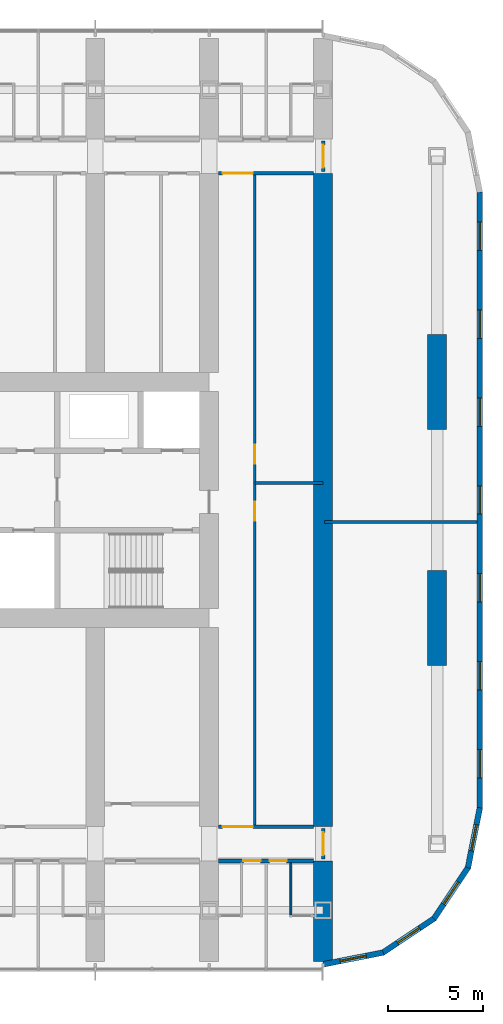
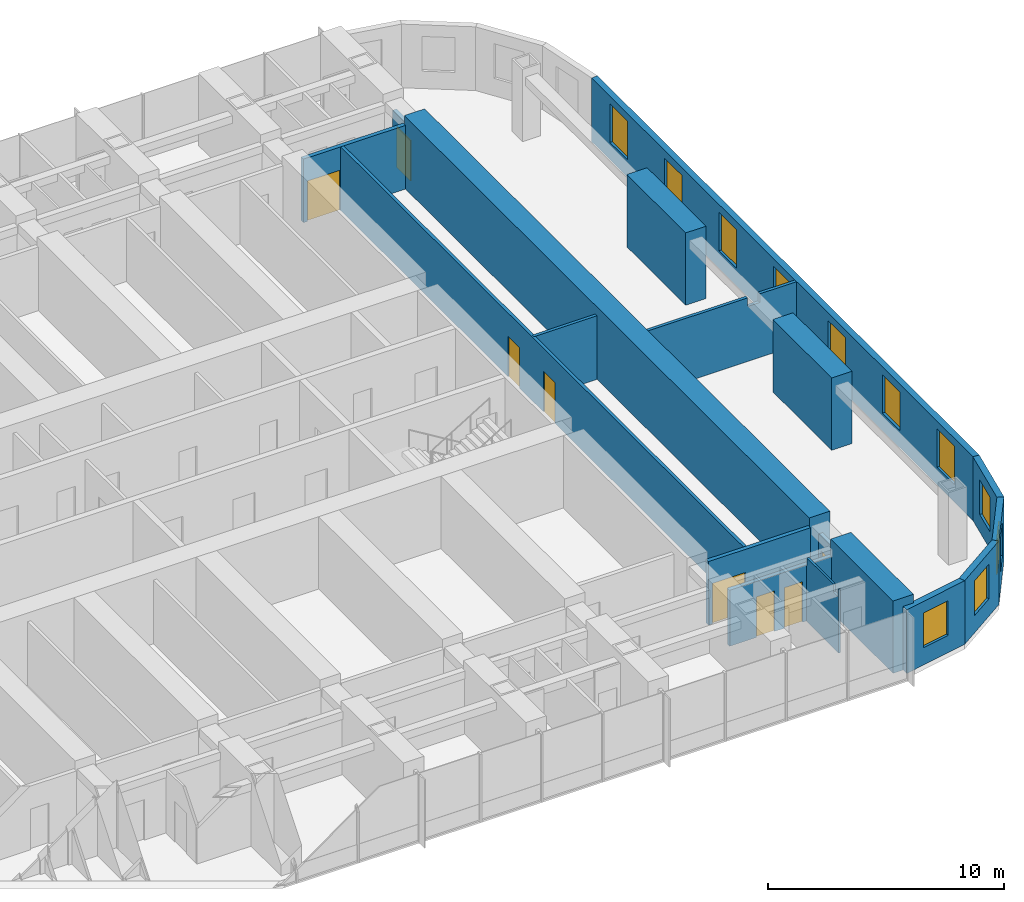
# One storey, part 17 of 23: 18 walls, 11 windows, 8 doors, 19 openings.
"""IFC4 building model written with IfcOpenShell, lengths in metres."""

from ifc_helpers import new_model, si_unit, direction, frame, frame_2d, origin, place, context, subcontext, project, spatial, polyline, rectangle, outline, extrude, material, layer, layer_set, type_object, element, fill, save


model = new_model("IFC4")

# Units and contexts
model_context = context("Model", 3, precision=1e-05, world=origin(), true_north=direction((0.0, 1.0)))
body_context = subcontext(model_context, "Body", "Model", "MODEL_VIEW")
ifc_project = project(units=[si_unit("LENGTHUNIT", "METRE"), si_unit("AREAUNIT", "SQUARE_METRE"), si_unit("VOLUMEUNIT", "CUBIC_METRE"), si_unit("PLANEANGLEUNIT", "RADIAN"), si_unit("MASSUNIT", "GRAM", prefix="KILO")], contexts=[model_context])

# Site, building, storey
site_placement = place(None, origin())
site = spatial("IfcSite", under=ifc_project, at=site_placement, CompositionType="ELEMENT")
building_placement = place(site_placement, origin())
building = spatial("IfcBuilding", under=site, at=building_placement, Name="Orbita Commons", CompositionType="ELEMENT")
storey_placement = place(building_placement, frame((0.0, 0.0, 50.199951171875)))
storey = spatial("IfcBuildingStorey", under=building, at=storey_placement, Name="L12", CompositionType="ELEMENT", Elevation=50.199951171875)

# Wall, openings, doors
ifc_material_1 = material(Name="Concrete blockwork", Category="masonry")
ifc_layer_1 = layer(ifc_material_1, 0.199951171875)
ifc_layer_set_1 = layer_set([ifc_layer_1], Name="Concrete blockwork")
wall_type_1 = type_object("IfcWallType", Name="Corridor wall 200 blockwork", PredefinedType="SOLIDWALL", material=ifc_layer_set_1)
wall_1_placement = place(storey_placement, frame((66.5, 13.0, 0.0), z_axis=(0.0, 0.0, 1.0), x_axis=(1.0, 0.0, 0.0)))
wall_1 = element("IfcWall", 1, at=wall_1_placement, inside=storey, type_object=wall_type_1, Name="Corridor wall 200 blockwork L12", PredefinedType="SOLIDWALL", context=body_context, shape_type="SweptSolid", body=[
    extrude(outline(polyline([(0.0, 0.0), (5.0, 0.0), (5.0, 2.900146484375), (0.0, 2.900146484375), (0.0, 0.0)])), frame((0.0, 0.10009765625, 0.0), z_axis=(0.0, -1.0, 0.0), x_axis=(1.0, 0.0, 0.0)), (0.0, 0.0, 1.0), 0.199951171875),
])
opening_1_placement = place(wall_1_placement, frame((1.300048828125, 0.0, 0.0)))
opening_1 = element("IfcOpeningElement", 2, at=opening_1_placement, cuts=wall_1, Name="Opening D11", PredefinedType="OPENING", context=body_context, shape_type="SweptSolid", body=[
    extrude(rectangle(XDim=0.89990234375, YDim=2.10009765625, at=frame_2d((0.449951171875, 1.050048828125))), frame((0.0, 0.10986328125, 0.0), z_axis=(0.0, -1.0, 0.0), x_axis=(1.0, 0.0, 0.0)), (0.0, 0.0, 1.0), 0.219970703125),
])
opening_2_placement = place(wall_1_placement, frame((2.675048828125, 0.0, 0.0)))
opening_2 = element("IfcOpeningElement", 3, at=opening_2_placement, cuts=wall_1, Name="Opening D11", PredefinedType="OPENING", context=body_context, shape_type="SweptSolid", body=[
    extrude(rectangle(XDim=0.89990234375, YDim=2.10009765625, at=frame_2d((0.449951171875, 1.050048828125))), frame((0.0, 0.10986328125, 0.0), z_axis=(0.0, -1.0, 0.0), x_axis=(1.0, 0.0, 0.0)), (0.0, 0.0, 1.0), 0.219970703125),
])
ifc_material_2 = material(Name="Steel-faced fire door leaf", Category="steel")
door_type_1 = type_object("IfcDoorType", Name="Corridor door 20 min 900x2100", OperationType="SINGLE_SWING_LEFT", PredefinedType="DOOR", material=ifc_material_2)
door_1_placement = place(opening_1_placement, origin())
door_1 = element("IfcDoor", 4, at=door_1_placement, inside=storey, type_object=door_type_1, Name="House bedroom L12-S18 door", OperationType="SINGLE_SWING_LEFT", OverallHeight=2.10009765625, OverallWidth=0.89990234375, PredefinedType="DOOR", context=body_context, shape_type="SweptSolid", body=[
    extrude(rectangle(XDim=0.89990234375, YDim=2.10009765625, at=frame_2d((0.449951171875, 1.050048828125))), frame((0.0, 0.02490234375, 0.0), z_axis=(0.0, -1.0, 0.0), x_axis=(1.0, 0.0, 0.0)), (0.0, 0.0, 1.0), 0.050048828125),
])
fill(opening_1, door_1)
door_2_placement = place(opening_2_placement, origin())
door_2 = element("IfcDoor", 5, at=door_2_placement, inside=storey, type_object=door_type_1, Name="House bedroom L12-S19 door", OperationType="SINGLE_SWING_LEFT", OverallHeight=2.10009765625, OverallWidth=0.89990234375, PredefinedType="DOOR", context=body_context, shape_type="SweptSolid", body=[
    extrude(rectangle(XDim=0.89990234375, YDim=2.10009765625, at=frame_2d((0.449951171875, 1.050048828125))), frame((0.0, 0.02490234375, 0.0), z_axis=(0.0, -1.0, 0.0), x_axis=(1.0, 0.0, 0.0)), (0.0, 0.0, 1.0), 0.050048828125),
])
fill(opening_2, door_2)

# Wall, opening, door
wall_2_placement = place(storey_placement, frame((72.0, 13.10009765625, 0.0), z_axis=(0.0, 0.0, 1.0), x_axis=(0.0, 1.0, 0.0)))
wall_2 = element("IfcWall", 6, at=wall_2_placement, inside=storey, type_object=wall_type_1, Name="Corridor wall 200 blockwork L12", PredefinedType="SOLIDWALL", context=body_context, shape_type="SweptSolid", body=[
    extrude(outline(polyline([(0.0, 0.0), (1.599853515625, 0.0), (1.60009765625, 2.85009765625), (0.0, 2.85009765625), (0.0, 0.0)])), frame((0.0, 0.10009765625, 0.0), z_axis=(0.0, -1.0, 0.0), x_axis=(1.0, 0.0, 0.0)), (0.0, 0.0, 1.0), 0.199951171875),
])
opening_3_placement = place(wall_2_placement, frame((0.199951171875, 0.0, 0.0)))
opening_3 = element("IfcOpeningElement", 7, at=opening_3_placement, cuts=wall_2, Name="Opening D12", PredefinedType="OPENING", context=body_context, shape_type="SweptSolid", body=[
    extrude(rectangle(XDim=1.199951171875, YDim=2.10009765625, at=frame_2d((0.60009765625, 1.050048828125))), frame((0.0, 0.10986328125, 0.0), z_axis=(0.0, -1.0, 0.0), x_axis=(1.0, 0.0, 0.0)), (0.0, 0.0, 1.0), 0.219970703125),
])
ifc_material_3 = material(Name="Steel-faced fire door leaf", Category="steel")
door_type_2 = type_object("IfcDoorType", Name="Double corridor door 20 min 1200x2100", OperationType="DOUBLE_DOOR_SINGLE_SWING", PredefinedType="DOOR", material=ifc_material_3)
door_3_placement = place(opening_3_placement, origin())
door_3 = element("IfcDoor", 8, at=door_3_placement, inside=storey, type_object=door_type_2, Name="Lounge doors", OperationType="DOUBLE_DOOR_SINGLE_SWING", OverallHeight=2.10009765625, OverallWidth=1.199951171875, PredefinedType="DOOR", context=body_context, shape_type="SweptSolid", body=[
    extrude(rectangle(XDim=1.199951171875, YDim=2.10009765625, at=frame_2d((0.60009765625, 1.050048828125))), frame((0.0, 0.02490234375, 0.0), z_axis=(0.0, -1.0, 0.0), x_axis=(1.0, 0.0, 0.0)), (0.0, 0.0, 1.0), 0.050048828125),
])
fill(opening_3, door_3)

wall_3_placement = place(storey_placement, frame((72.0, 49.300048828125, 0.0), z_axis=(0.0, 0.0, 1.0), x_axis=(0.0, 1.0, 0.0)))
wall_3 = element("IfcWall", 9, at=wall_3_placement, inside=storey, type_object=wall_type_1, Name="Corridor wall 200 blockwork L12", PredefinedType="SOLIDWALL", context=body_context, shape_type="SweptSolid", body=[
    extrude(outline(polyline([(0.0, 0.0), (1.599853515625, 0.0), (1.60009765625, 2.85009765625), (0.0, 2.85009765625), (0.0, 0.0)])), frame((0.0, 0.10009765625, 0.0), z_axis=(0.0, -1.0, 0.0), x_axis=(1.0, 0.0, 0.0)), (0.0, 0.0, 1.0), 0.199951171875),
])
opening_4_placement = place(wall_3_placement, frame((0.199951171875, 0.0, 0.0)))
opening_4 = element("IfcOpeningElement", 10, at=opening_4_placement, cuts=wall_3, Name="Opening D12", PredefinedType="OPENING", context=body_context, shape_type="SweptSolid", body=[
    extrude(rectangle(XDim=1.199951171875, YDim=2.10009765625, at=frame_2d((0.60009765625, 1.050048828125))), frame((0.0, 0.10986328125, 0.0), z_axis=(0.0, -1.0, 0.0), x_axis=(1.0, 0.0, 0.0)), (0.0, 0.0, 1.0), 0.219970703125),
])
door_4_placement = place(opening_4_placement, origin())
door_4 = element("IfcDoor", 11, at=door_4_placement, inside=storey, type_object=door_type_2, Name="Lounge doors", OperationType="DOUBLE_DOOR_SINGLE_SWING", OverallHeight=2.10009765625, OverallWidth=1.199951171875, PredefinedType="DOOR", context=body_context, shape_type="SweptSolid", body=[
    extrude(rectangle(XDim=1.199951171875, YDim=2.10009765625, at=frame_2d((0.60009765625, 1.050048828125))), frame((0.0, 0.02490234375, 0.0), z_axis=(0.0, -1.0, 0.0), x_axis=(1.0, 0.0, 0.0)), (0.0, 0.0, 1.0), 0.050048828125),
])
fill(opening_4, door_4)

ifc_material_4 = material(Name="Hollow concrete block 200", Category="concrete")
ifc_layer_2 = layer(ifc_material_4, 0.199951171875)
ifc_layer_set_2 = layer_set([ifc_layer_2], Name="Hollow concrete block 200")
wall_type_2 = type_object("IfcWallType", Name="Corridor wall 200 hollow concrete block", PredefinedType="SOLIDWALL", material=ifc_layer_set_2)
wall_4_placement = place(storey_placement, frame((66.5, 14.800048828125, 0.0), z_axis=(0.0, 0.0, 1.0), x_axis=(1.0, 0.0, 0.0)))
wall_4 = element("IfcWall", 12, at=wall_4_placement, inside=storey, type_object=wall_type_2, Name="Corridor wall 200 hollow concrete block L12", PredefinedType="SOLIDWALL", context=body_context, shape_type="SweptSolid", body=[
    extrude(rectangle(XDim=5.0, YDim=0.199951171875, at=frame_2d((2.5, 0.0))), origin(), (0.0, 0.0, 1.0), 3.300048828125),
])
opening_5_placement = place(wall_4_placement, frame((0.199951171875, 0.0, 0.0)))
opening_5 = element("IfcOpeningElement", 13, at=opening_5_placement, cuts=wall_4, Name="Opening D10", PredefinedType="OPENING", context=body_context, shape_type="SweptSolid", body=[
    extrude(rectangle(XDim=1.60009765625, YDim=2.10009765625, at=frame_2d((0.800048828125, 1.050048828125))), frame((0.0, 0.10986328125, 0.0), z_axis=(0.0, -1.0, 0.0), x_axis=(1.0, 0.0, 0.0)), (0.0, 0.0, 1.0), 0.219970703125),
])
ifc_material_5 = material(Name="Steel-faced fire door leaf", Category="steel")
door_type_3 = type_object("IfcDoorType", Name="Double corridor door 20 min 1600x2100", OperationType="DOUBLE_DOOR_SINGLE_SWING", PredefinedType="DOOR", material=ifc_material_5)
door_5_placement = place(opening_5_placement, origin())
door_5 = element("IfcDoor", 14, at=door_5_placement, inside=storey, type_object=door_type_3, Name="Cross corridor doors", OperationType="DOUBLE_DOOR_SINGLE_SWING", OverallHeight=2.10009765625, OverallWidth=1.60009765625, PredefinedType="DOOR", context=body_context, shape_type="SweptSolid", body=[
    extrude(rectangle(XDim=1.60009765625, YDim=2.10009765625, at=frame_2d((0.800048828125, 1.050048828125))), frame((0.0, 0.02490234375, 0.0), z_axis=(0.0, -1.0, 0.0), x_axis=(1.0, 0.0, 0.0)), (0.0, 0.0, 1.0), 0.050048828125),
])
fill(opening_5, door_5)

wall_5_placement = place(storey_placement, frame((66.5, 49.199951171875, 0.0), z_axis=(0.0, 0.0, 1.0), x_axis=(1.0, 0.0, 0.0)))
wall_5 = element("IfcWall", 15, at=wall_5_placement, inside=storey, type_object=wall_type_2, Name="Corridor wall 200 hollow concrete block L12", PredefinedType="SOLIDWALL", context=body_context, shape_type="SweptSolid", body=[
    extrude(rectangle(XDim=5.0, YDim=0.199951171875, at=frame_2d((2.5, 0.0))), origin(), (0.0, 0.0, 1.0), 3.300048828125),
])
opening_6_placement = place(wall_5_placement, frame((0.199951171875, 0.0, 0.0)))
opening_6 = element("IfcOpeningElement", 16, at=opening_6_placement, cuts=wall_5, Name="Opening D10", PredefinedType="OPENING", context=body_context, shape_type="SweptSolid", body=[
    extrude(rectangle(XDim=1.60009765625, YDim=2.10009765625, at=frame_2d((0.800048828125, 1.050048828125))), frame((0.0, 0.10986328125, 0.0), z_axis=(0.0, -1.0, 0.0), x_axis=(1.0, 0.0, 0.0)), (0.0, 0.0, 1.0), 0.219970703125),
])
door_6_placement = place(opening_6_placement, origin())
door_6 = element("IfcDoor", 17, at=door_6_placement, inside=storey, type_object=door_type_3, Name="Cross corridor doors", OperationType="DOUBLE_DOOR_SINGLE_SWING", OverallHeight=2.10009765625, OverallWidth=1.60009765625, PredefinedType="DOOR", context=body_context, shape_type="SweptSolid", body=[
    extrude(rectangle(XDim=1.60009765625, YDim=2.10009765625, at=frame_2d((0.800048828125, 1.050048828125))), frame((0.0, 0.02490234375, 0.0), z_axis=(0.0, -1.0, 0.0), x_axis=(1.0, 0.0, 0.0)), (0.0, 0.0, 1.0), 0.050048828125),
])
fill(opening_6, door_6)

# Walls
ifc_material_6 = material(Name="Concrete C50/60", Category="concrete")
ifc_layer_3 = layer(ifc_material_6, 1.0)
ifc_layer_set_3 = layer_set([ifc_layer_3], Name="Concrete C50/60")
wall_type_3 = type_object("IfcWallType", Name="Cross wall 1000 C50/60", PredefinedType="SHEAR", material=ifc_layer_set_3)
wall_6_placement = place(storey_placement, frame((72.0, 7.699951171875, 0.0), z_axis=(0.0, 0.0, 1.0), x_axis=(0.0, 1.0, 0.0)))
element("IfcWall", 18, at=wall_6_placement, inside=storey, type_object=wall_type_3, Name="Cross wall 13 south outer L12", PredefinedType="SHEAR", context=body_context, shape_type="SweptSolid", body=[
    extrude(rectangle(XDim=5.300048828125, YDim=1.0, at=frame_2d((2.64990234375, 0.0))), origin(), (0.0, 0.0, 1.0), 3.75),
])
wall_7_placement = place(storey_placement, frame((72.0, 14.800048828125, 0.0), z_axis=(0.0, 0.0, 1.0), x_axis=(0.0, 1.0, 0.0)))
element("IfcWall", 19, at=wall_7_placement, inside=storey, type_object=wall_type_3, Name="Cross wall 13 inner L12", PredefinedType="SHEAR", context=body_context, shape_type="SweptSolid", body=[
    extrude(rectangle(XDim=34.39990234375, YDim=1.0, at=frame_2d((17.199951171875, 0.0))), origin(), (0.0, 0.0, 1.0), 3.75),
])
ifc_material_7 = material(Name="Moisture-resistant plasterboard on steel studs", Category="steel")
ifc_layer_4 = layer(ifc_material_7, 0.10009765625)
ifc_layer_set_4 = layer_set([ifc_layer_4], Name="Moisture-resistant plasterboard on steel studs")
wall_type_4 = type_object("IfcWallType", Name="En-suite partition 100", PredefinedType="PARTITIONING", material=ifc_layer_set_4)
wall_8_placement = place(storey_placement, frame((70.300048828125, 10.14990234375, 0.0), z_axis=(0.0, 0.0, 1.0), x_axis=(0.0, 1.0, 0.0)))
element("IfcWall", 20, at=wall_8_placement, inside=storey, type_object=wall_type_4, Name="En-suite partition 100 L12", PredefinedType="PARTITIONING", context=body_context, shape_type="SweptSolid", body=[
    extrude(outline(polyline([(0.0, 0.0), (2.75, 0.0), (2.75, 2.900146484375), (2.701904296875, 2.900146484375), (2.699951171875, 3.300048828125), (0.451904296875, 3.300048828125), (0.449951171875, 2.900146484375), (0.052001953125, 2.900146484375), (0.050048828125, 3.300048828125), (0.0, 3.300048828125), (0.0, 0.0)])), frame((0.0, 0.050048828125, 0.0), z_axis=(0.0, -1.0, 0.0), x_axis=(1.0, 0.0, 0.0)), (0.0, 0.0, 1.0), 0.10009765625),
])
ifc_material_8 = material(Name="Concrete C50/60", Category="concrete")
ifc_layer_5 = layer(ifc_material_8, 1.0)
ifc_layer_set_5 = layer_set([ifc_layer_5], Name="Concrete C50/60")
wall_type_5 = type_object("IfcWallType", Name="End pier 1000x5000 C50/60", PredefinedType="SHEAR", material=ifc_layer_set_5)
for number, where, z_axis, x_axis, name in (
    (21, (78.0, 23.300048828125, 0.0), (0.0, 0.0, 1.0), (0.0, 1.0, 0.0), "End pier 14/C L12"),
    (22, (78.0, 35.699951171875, 0.0), (0.0, 0.0, 1.0), (0.0, 1.0, 0.0), "End pier 14/D L12"),
):
    element("IfcWall", number, at=place(storey_placement, frame(where, z_axis=z_axis, x_axis=x_axis)), inside=storey, type_object=wall_type_5, Name=name, PredefinedType="SHEAR", context=body_context, shape_type="SweptSolid", body=[
        extrude(rectangle(XDim=5.0, YDim=1.0, at=frame_2d((2.5, 0.0))), origin(), (0.0, 0.0, 1.0), 3.75),
    ])

# Wall, openings, doors
ifc_material_9 = material(Name="Gypsum plasterboard on steel studs", Category="steel")
ifc_layer_6 = layer(ifc_material_9, 0.14990234375)
ifc_layer_set_6 = layer_set([ifc_layer_6], Name="Gypsum plasterboard on steel studs")
wall_type_6 = type_object("IfcWallType", Name="Partition 150 plasterboard", PredefinedType="PARTITIONING", material=ifc_layer_set_6)
wall_9_placement = place(storey_placement, frame((68.39990234375, 14.89990234375, 0.0), z_axis=(0.0, 0.0, 1.0), x_axis=(0.0, 1.0, 0.0)))
wall_9 = element("IfcWall", 23, at=wall_9_placement, inside=storey, type_object=wall_type_6, Name="Partition 150 plasterboard L12", PredefinedType="PARTITIONING", context=body_context, shape_type="SweptSolid", body=[
    extrude(rectangle(XDim=34.2001953125, YDim=0.14990234375, at=frame_2d((17.10009765625, 0.0))), origin(), (0.0, 0.0, 1.0), 3.300048828125),
])
opening_7_placement = place(wall_9_placement, frame((16.0, 0.0, 0.0)))
opening_7 = element("IfcOpeningElement", 24, at=opening_7_placement, cuts=wall_9, Name="Opening D06", PredefinedType="OPENING", context=body_context, shape_type="SweptSolid", body=[
    extrude(rectangle(XDim=1.0, YDim=2.10009765625, at=frame_2d((0.5, 1.050048828125))), frame((0.0, 0.0849609375, 0.0), z_axis=(0.0, -1.0, 0.0), x_axis=(1.0, 0.0, 0.0)), (0.0, 0.0, 1.0), 0.169921875),
])
opening_8_placement = place(wall_9_placement, frame((19.0, 0.0, 0.0)))
opening_8 = element("IfcOpeningElement", 25, at=opening_8_placement, cuts=wall_9, Name="Opening D06", PredefinedType="OPENING", context=body_context, shape_type="SweptSolid", body=[
    extrude(rectangle(XDim=1.0, YDim=2.10009765625, at=frame_2d((0.5, 1.050048828125))), frame((0.0, 0.0849609375, 0.0), z_axis=(0.0, -1.0, 0.0), x_axis=(1.0, 0.0, 0.0)), (0.0, 0.0, 1.0), 0.169921875),
])
ifc_material_10 = material(Name="Steel-faced fire door leaf", Category="steel")
door_type_4 = type_object("IfcDoorType", Name="Corridor door 20 min 1000x2100", OperationType="SINGLE_SWING_LEFT", PredefinedType="DOOR", material=ifc_material_10)
door_7_placement = place(opening_7_placement, origin())
door_7 = element("IfcDoor", 26, at=door_7_placement, inside=storey, type_object=door_type_4, Name="Prayer room door", OperationType="SINGLE_SWING_LEFT", OverallHeight=2.10009765625, OverallWidth=1.0, PredefinedType="DOOR", context=body_context, shape_type="SweptSolid", body=[
    extrude(rectangle(XDim=1.0, YDim=2.10009765625, at=frame_2d((0.5, 1.050048828125))), frame((0.0, 0.02490234375, 0.0), z_axis=(0.0, -1.0, 0.0), x_axis=(1.0, 0.0, 0.0)), (0.0, 0.0, 1.0), 0.050048828125),
])
fill(opening_7, door_7)
door_8_placement = place(opening_8_placement, origin())
door_8 = element("IfcDoor", 27, at=door_8_placement, inside=storey, type_object=door_type_4, Name="Quiet room en door", OperationType="SINGLE_SWING_LEFT", OverallHeight=2.10009765625, OverallWidth=1.0, PredefinedType="DOOR", context=body_context, shape_type="SweptSolid", body=[
    extrude(rectangle(XDim=1.0, YDim=2.10009765625, at=frame_2d((0.5, 1.050048828125))), frame((0.0, 0.02490234375, 0.0), z_axis=(0.0, -1.0, 0.0), x_axis=(1.0, 0.0, 0.0)), (0.0, 0.0, 1.0), 0.050048828125),
])
fill(opening_8, door_8)

# Walls
wall_10_placement = place(storey_placement, frame((68.39990234375, 32.89990234375, 0.0), z_axis=(0.0, 0.0, 1.0), x_axis=(1.0, 0.0, 0.0)))
element("IfcWall", 28, at=wall_10_placement, inside=storey, type_object=wall_type_6, Name="Partition 150 plasterboard L12", PredefinedType="PARTITIONING", context=body_context, shape_type="SweptSolid", body=[
    extrude(rectangle(XDim=3.60009765625, YDim=0.14990234375, at=frame_2d((1.800048828125, 0.0))), origin(), (0.0, 0.0, 1.0), 3.300048828125),
])
wall_11_placement = place(storey_placement, frame((72.074951171875, 30.85009765625, 0.0), z_axis=(0.0, 0.0, 1.0), x_axis=(1.0, 0.0, 0.0)))
element("IfcWall", 29, at=wall_11_placement, inside=storey, type_object=wall_type_6, Name="Partition 150 plasterboard L12", PredefinedType="PARTITIONING", context=body_context, shape_type="SweptSolid", body=[
    extrude(outline(polyline([(0.0, 0.0), (8.02001953125, 0.0), (8.02001953125, 3.300048828125), (6.22705078125, 3.300048828125), (6.22509765625, 2.85009765625), (5.626953125, 2.85009765625), (5.625, 3.300048828125), (0.0, 3.300048828125), (0.0, 0.0)])), frame((0.0, 0.074951171875, 0.0), z_axis=(0.0, -1.0, 0.0), x_axis=(1.0, 0.0, 0.0)), (0.0, 0.0, 1.0), 0.14990234375),
])

# Wall, openings, windows
ifc_material_11 = material(Name="Precast concrete C40/50, white board-marked finish", Category="concrete")
ifc_layer_7 = layer(ifc_material_11, 0.300048828125)
ifc_layer_set_7 = layer_set([ifc_layer_7], Name="Precast concrete C40/50, white board-marked finish")
wall_type_7 = type_object("IfcWallType", Name="Precast concrete end shield 300", PredefinedType="SOLIDWALL", material=ifc_layer_set_7)
wall_12_placement = place(storey_placement, frame((80.25, 15.800048828125, 0.0), z_axis=(0.0, 0.0, 1.0), x_axis=(0.0, 1.0, 0.0)))
wall_12 = element("IfcWall", 30, at=wall_12_placement, inside=storey, type_object=wall_type_7, Name="End shield E L12", PredefinedType="SOLIDWALL", context=body_context, shape_type="SweptSolid", body=[
    extrude(outline(polyline([(-0.014892578125, -0.14990234375), (32.414794921875, -0.14990234375), (32.385009765625, 0.14990234375), (0.014892578125, 0.14990234375), (-0.014892578125, -0.14990234375)])), origin(), (0.0, 0.0, 1.0), 3.300048828125),
])
opening_9_placement = place(wall_12_placement, frame((1.564208984375, 0.0, 0.89990234375)))
opening_9 = element("IfcOpeningElement", 31, at=opening_9_placement, cuts=wall_12, Name="Opening W01", PredefinedType="OPENING", context=body_context, shape_type="SweptSolid", body=[
    extrude(rectangle(XDim=1.5, YDim=2.0, at=frame_2d((0.75, 1.0))), frame((0.0, 0.159912109375, 0.0), z_axis=(0.0, -1.0, 0.0), x_axis=(1.0, 0.0, 0.0)), (0.0, 0.0, 1.0), 0.320068359375),
])
opening_10_placement = place(wall_12_placement, frame((6.19287109375, 0.0, 0.89990234375)))
opening_10 = element("IfcOpeningElement", 32, at=opening_10_placement, cuts=wall_12, Name="Opening W01", PredefinedType="OPENING", context=body_context, shape_type="SweptSolid", body=[
    extrude(rectangle(XDim=1.5, YDim=2.0, at=frame_2d((0.75, 1.0))), frame((0.0, 0.159912109375, 0.0), z_axis=(0.0, -1.0, 0.0), x_axis=(1.0, 0.0, 0.0)), (0.0, 0.0, 1.0), 0.320068359375),
])
opening_11_placement = place(wall_12_placement, frame((10.821533203125, 0.0, 0.89990234375)))
opening_11 = element("IfcOpeningElement", 33, at=opening_11_placement, cuts=wall_12, Name="Opening W01", PredefinedType="OPENING", context=body_context, shape_type="SweptSolid", body=[
    extrude(rectangle(XDim=1.5, YDim=2.0, at=frame_2d((0.75, 1.0))), frame((0.0, 0.159912109375, 0.0), z_axis=(0.0, -1.0, 0.0), x_axis=(1.0, 0.0, 0.0)), (0.0, 0.0, 1.0), 0.320068359375),
])
opening_12_placement = place(wall_12_placement, frame((15.449951171875, 0.0, 0.89990234375)))
opening_12 = element("IfcOpeningElement", 34, at=opening_12_placement, cuts=wall_12, Name="Opening W01", PredefinedType="OPENING", context=body_context, shape_type="SweptSolid", body=[
    extrude(rectangle(XDim=1.5, YDim=2.0, at=frame_2d((0.75, 1.0))), frame((0.0, 0.159912109375, 0.0), z_axis=(0.0, -1.0, 0.0), x_axis=(1.0, 0.0, 0.0)), (0.0, 0.0, 1.0), 0.320068359375),
])
opening_13_placement = place(wall_12_placement, frame((20.07861328125, 0.0, 0.89990234375)))
opening_13 = element("IfcOpeningElement", 35, at=opening_13_placement, cuts=wall_12, Name="Opening W01", PredefinedType="OPENING", context=body_context, shape_type="SweptSolid", body=[
    extrude(rectangle(XDim=1.5, YDim=2.0, at=frame_2d((0.75, 1.0))), frame((0.0, 0.159912109375, 0.0), z_axis=(0.0, -1.0, 0.0), x_axis=(1.0, 0.0, 0.0)), (0.0, 0.0, 1.0), 0.320068359375),
])
opening_14_placement = place(wall_12_placement, frame((24.70703125, 0.0, 0.89990234375)))
opening_14 = element("IfcOpeningElement", 36, at=opening_14_placement, cuts=wall_12, Name="Opening W01", PredefinedType="OPENING", context=body_context, shape_type="SweptSolid", body=[
    extrude(rectangle(XDim=1.5, YDim=2.0, at=frame_2d((0.75, 1.0))), frame((0.0, 0.159912109375, 0.0), z_axis=(0.0, -1.0, 0.0), x_axis=(1.0, 0.0, 0.0)), (0.0, 0.0, 1.0), 0.320068359375),
])
opening_15_placement = place(wall_12_placement, frame((29.335693359375, 0.0, 0.89990234375)))
opening_15 = element("IfcOpeningElement", 37, at=opening_15_placement, cuts=wall_12, Name="Opening W01", PredefinedType="OPENING", context=body_context, shape_type="SweptSolid", body=[
    extrude(rectangle(XDim=1.5, YDim=2.0, at=frame_2d((0.75, 1.0))), frame((0.0, 0.159912109375, 0.0), z_axis=(0.0, -1.0, 0.0), x_axis=(1.0, 0.0, 0.0)), (0.0, 0.0, 1.0), 0.320068359375),
])
ifc_material_12 = material(Name="Aluminium frame, clear double glazing", Category="aluminium")
window_type_1 = type_object("IfcWindowType", Name="Deep-set window 1500x2000", PartitioningType="SINGLE_PANEL", PredefinedType="WINDOW", material=ifc_material_12)
window_1_placement = place(opening_9_placement, origin())
window_1 = element("IfcWindow", 38, at=window_1_placement, inside=storey, type_object=window_type_1, Name="Window L12-E 1", OverallHeight=2.0, OverallWidth=1.5, PartitioningType="SINGLE_PANEL", PredefinedType="WINDOW", context=body_context, shape_type="SweptSolid", body=[
    extrude(rectangle(XDim=1.5, YDim=2.0, at=frame_2d((0.75, 1.0))), frame((0.0, 0.030029296875, 0.0), z_axis=(0.0, -1.0, 0.0), x_axis=(1.0, 0.0, 0.0)), (0.0, 0.0, 1.0), 0.06005859375),
])
fill(opening_9, window_1)
window_2_placement = place(opening_10_placement, origin())
window_2 = element("IfcWindow", 39, at=window_2_placement, inside=storey, type_object=window_type_1, Name="Window L12-E 2", OverallHeight=2.0, OverallWidth=1.5, PartitioningType="SINGLE_PANEL", PredefinedType="WINDOW", context=body_context, shape_type="SweptSolid", body=[
    extrude(rectangle(XDim=1.5, YDim=2.0, at=frame_2d((0.75, 1.0))), frame((0.0, 0.030029296875, 0.0), z_axis=(0.0, -1.0, 0.0), x_axis=(1.0, 0.0, 0.0)), (0.0, 0.0, 1.0), 0.06005859375),
])
fill(opening_10, window_2)
window_3_placement = place(opening_11_placement, origin())
window_3 = element("IfcWindow", 40, at=window_3_placement, inside=storey, type_object=window_type_1, Name="Window L12-E 3", OverallHeight=2.0, OverallWidth=1.5, PartitioningType="SINGLE_PANEL", PredefinedType="WINDOW", context=body_context, shape_type="SweptSolid", body=[
    extrude(rectangle(XDim=1.5, YDim=2.0, at=frame_2d((0.75, 1.0))), frame((0.0, 0.030029296875, 0.0), z_axis=(0.0, -1.0, 0.0), x_axis=(1.0, 0.0, 0.0)), (0.0, 0.0, 1.0), 0.06005859375),
])
fill(opening_11, window_3)
window_4_placement = place(opening_12_placement, origin())
window_4 = element("IfcWindow", 41, at=window_4_placement, inside=storey, type_object=window_type_1, Name="Window L12-E 4", OverallHeight=2.0, OverallWidth=1.5, PartitioningType="SINGLE_PANEL", PredefinedType="WINDOW", context=body_context, shape_type="SweptSolid", body=[
    extrude(rectangle(XDim=1.5, YDim=2.0, at=frame_2d((0.75, 1.0))), frame((0.0, 0.030029296875, 0.0), z_axis=(0.0, -1.0, 0.0), x_axis=(1.0, 0.0, 0.0)), (0.0, 0.0, 1.0), 0.06005859375),
])
fill(opening_12, window_4)
window_5_placement = place(opening_13_placement, origin())
window_5 = element("IfcWindow", 42, at=window_5_placement, inside=storey, type_object=window_type_1, Name="Window L12-E 5", OverallHeight=2.0, OverallWidth=1.5, PartitioningType="SINGLE_PANEL", PredefinedType="WINDOW", context=body_context, shape_type="SweptSolid", body=[
    extrude(rectangle(XDim=1.5, YDim=2.0, at=frame_2d((0.75, 1.0))), frame((0.0, 0.030029296875, 0.0), z_axis=(0.0, -1.0, 0.0), x_axis=(1.0, 0.0, 0.0)), (0.0, 0.0, 1.0), 0.06005859375),
])
fill(opening_13, window_5)
window_6_placement = place(opening_14_placement, origin())
window_6 = element("IfcWindow", 43, at=window_6_placement, inside=storey, type_object=window_type_1, Name="Window L12-E 6", OverallHeight=2.0, OverallWidth=1.5, PartitioningType="SINGLE_PANEL", PredefinedType="WINDOW", context=body_context, shape_type="SweptSolid", body=[
    extrude(rectangle(XDim=1.5, YDim=2.0, at=frame_2d((0.75, 1.0))), frame((0.0, 0.030029296875, 0.0), z_axis=(0.0, -1.0, 0.0), x_axis=(1.0, 0.0, 0.0)), (0.0, 0.0, 1.0), 0.06005859375),
])
fill(opening_14, window_6)
window_7_placement = place(opening_15_placement, origin())
window_7 = element("IfcWindow", 44, at=window_7_placement, inside=storey, type_object=window_type_1, Name="Window L12-E 7", OverallHeight=2.0, OverallWidth=1.5, PartitioningType="SINGLE_PANEL", PredefinedType="WINDOW", context=body_context, shape_type="SweptSolid", body=[
    extrude(rectangle(XDim=1.5, YDim=2.0, at=frame_2d((0.75, 1.0))), frame((0.0, 0.030029296875, 0.0), z_axis=(0.0, -1.0, 0.0), x_axis=(1.0, 0.0, 0.0)), (0.0, 0.0, 1.0), 0.06005859375),
])
fill(opening_15, window_7)

# Wall, opening, window
wall_13_placement = place(storey_placement, frame((72.0, 7.550048828125, 0.0), z_axis=(0.0, 0.0, 1.0), x_axis=(0.980787251524, 0.195080412259, 0.0)))
wall_13 = element("IfcWall", 45, at=wall_13_placement, inside=storey, type_object=wall_type_7, Name="End shield SE chord 1 L12", PredefinedType="SOLIDWALL", context=body_context, shape_type="SweptSolid", body=[
    extrude(outline(polyline([(-0.02978515625, -0.14990234375), (3.24853515625, -0.14990234375), (3.18896484375, 0.14990234375), (0.02978515625, 0.14990234375), (-0.02978515625, -0.14990234375)])), origin(), (0.0, 0.0, 1.0), 3.300048828125),
])
opening_16_placement = place(wall_13_placement, frame((0.909423828125, 0.0, 0.89990234375)))
opening_16 = element("IfcOpeningElement", 46, at=opening_16_placement, cuts=wall_13, Name="Opening W02", PredefinedType="OPENING", context=body_context, shape_type="SweptSolid", body=[
    extrude(rectangle(XDim=1.39990234375, YDim=1.800048828125, at=frame_2d((0.699951171875, 0.89990234375))), frame((0.0, 0.159912109375, 0.0), z_axis=(0.0, -1.0, 0.0), x_axis=(1.0, 0.0, 0.0)), (0.0, 0.0, 1.0), 0.320068359375),
])
ifc_material_13 = material(Name="Aluminium frame, clear double glazing", Category="aluminium")
window_type_2 = type_object("IfcWindowType", Name="Deep-set window 1400x1800", PartitioningType="SINGLE_PANEL", PredefinedType="WINDOW", material=ifc_material_13)
window_8_placement = place(opening_16_placement, origin())
window_8 = element("IfcWindow", 47, at=window_8_placement, inside=storey, type_object=window_type_2, Name="Window L12-SE0", OverallHeight=1.800048828125, OverallWidth=1.39990234375, PartitioningType="SINGLE_PANEL", PredefinedType="WINDOW", context=body_context, shape_type="SweptSolid", body=[
    extrude(rectangle(XDim=1.39990234375, YDim=1.800048828125, at=frame_2d((0.699951171875, 0.89990234375))), frame((0.0, 0.030029296875, 0.0), z_axis=(0.0, -1.0, 0.0), x_axis=(1.0, 0.0, 0.0)), (0.0, 0.0, 1.0), 0.06005859375),
])
fill(opening_16, window_8)

wall_14_placement = place(storey_placement, frame((75.156982421875, 8.177978515625, 0.0), z_axis=(0.0, 0.0, 1.0), x_axis=(0.831478105043, 0.555557522525, 0.0)))
wall_14 = element("IfcWall", 48, at=wall_14_placement, inside=storey, type_object=wall_type_7, Name="End shield SE chord 2 L12", PredefinedType="SOLIDWALL", context=body_context, shape_type="SweptSolid", body=[
    extrude(outline(polyline([(-0.02978515625, -0.14990234375), (3.248779296875, -0.14990234375), (3.189208984375, 0.14990234375), (0.02978515625, 0.14990234375), (-0.02978515625, -0.14990234375)])), origin(), (0.0, 0.0, 1.0), 3.300048828125),
])
opening_17_placement = place(wall_14_placement, frame((0.909423828125, 0.0, 0.89990234375)))
opening_17 = element("IfcOpeningElement", 49, at=opening_17_placement, cuts=wall_14, Name="Opening W02", PredefinedType="OPENING", context=body_context, shape_type="SweptSolid", body=[
    extrude(rectangle(XDim=1.39990234375, YDim=1.800048828125, at=frame_2d((0.699951171875, 0.89990234375))), frame((0.0, 0.159912109375, 0.0), z_axis=(0.0, -1.0, 0.0), x_axis=(1.0, 0.0, 0.0)), (0.0, 0.0, 1.0), 0.320068359375),
])
window_9_placement = place(opening_17_placement, origin())
window_9 = element("IfcWindow", 50, at=window_9_placement, inside=storey, type_object=window_type_2, Name="Window L12-SE1", OverallHeight=1.800048828125, OverallWidth=1.39990234375, PartitioningType="SINGLE_PANEL", PredefinedType="WINDOW", context=body_context, shape_type="SweptSolid", body=[
    extrude(rectangle(XDim=1.39990234375, YDim=1.800048828125, at=frame_2d((0.699951171875, 0.89990234375))), frame((0.0, 0.030029296875, 0.0), z_axis=(0.0, -1.0, 0.0), x_axis=(1.0, 0.0, 0.0)), (0.0, 0.0, 1.0), 0.06005859375),
])
fill(opening_17, window_9)

wall_15_placement = place(storey_placement, frame((77.83349609375, 9.96630859375, 0.0), z_axis=(0.0, 0.0, 1.0), x_axis=(0.555609954424, 0.831443069936, 0.0)))
wall_15 = element("IfcWall", 51, at=wall_15_placement, inside=storey, type_object=wall_type_7, Name="End shield SE chord 3 L12", PredefinedType="SOLIDWALL", context=body_context, shape_type="SweptSolid", body=[
    extrude(outline(polyline([(-0.02978515625, -0.14990234375), (3.2490234375, -0.14990234375), (3.189453125, 0.14990234375), (0.02978515625, 0.14990234375), (-0.02978515625, -0.14990234375)])), origin(), (0.0, 0.0, 1.0), 3.300048828125),
])
opening_18_placement = place(wall_15_placement, frame((0.909423828125, 0.0, 0.89990234375)))
opening_18 = element("IfcOpeningElement", 52, at=opening_18_placement, cuts=wall_15, Name="Opening W02", PredefinedType="OPENING", context=body_context, shape_type="SweptSolid", body=[
    extrude(rectangle(XDim=1.39990234375, YDim=1.800048828125, at=frame_2d((0.699951171875, 0.89990234375))), frame((0.0, 0.159912109375, 0.0), z_axis=(0.0, -1.0, 0.0), x_axis=(1.0, 0.0, 0.0)), (0.0, 0.0, 1.0), 0.320068359375),
])
window_10_placement = place(opening_18_placement, origin())
window_10 = element("IfcWindow", 53, at=window_10_placement, inside=storey, type_object=window_type_2, Name="Window L12-SE2", OverallHeight=1.800048828125, OverallWidth=1.39990234375, PartitioningType="SINGLE_PANEL", PredefinedType="WINDOW", context=body_context, shape_type="SweptSolid", body=[
    extrude(rectangle(XDim=1.39990234375, YDim=1.800048828125, at=frame_2d((0.699951171875, 0.89990234375))), frame((0.0, 0.030029296875, 0.0), z_axis=(0.0, -1.0, 0.0), x_axis=(1.0, 0.0, 0.0)), (0.0, 0.0, 1.0), 0.06005859375),
])
fill(opening_18, window_10)

wall_16_placement = place(storey_placement, frame((79.6220703125, 12.642822265625, 0.0), z_axis=(0.0, 0.0, 1.0), x_axis=(0.195065901187, 0.980790137692, 0.0)))
wall_16 = element("IfcWall", 54, at=wall_16_placement, inside=storey, type_object=wall_type_7, Name="End shield SE chord 4 L12", PredefinedType="SOLIDWALL", context=body_context, shape_type="SweptSolid", body=[
    extrude(outline(polyline([(-0.02978515625, -0.14990234375), (3.23388671875, -0.14990234375), (3.2041015625, 0.14990234375), (0.02978515625, 0.14990234375), (-0.02978515625, -0.14990234375)])), origin(), (0.0, 0.0, 1.0), 3.300048828125),
])
opening_19_placement = place(wall_16_placement, frame((0.909423828125, 0.0, 0.89990234375)))
opening_19 = element("IfcOpeningElement", 55, at=opening_19_placement, cuts=wall_16, Name="Opening W02", PredefinedType="OPENING", context=body_context, shape_type="SweptSolid", body=[
    extrude(rectangle(XDim=1.39990234375, YDim=1.800048828125, at=frame_2d((0.699951171875, 0.89990234375))), frame((0.0, 0.159912109375, 0.0), z_axis=(0.0, -1.0, 0.0), x_axis=(1.0, 0.0, 0.0)), (0.0, 0.0, 1.0), 0.320068359375),
])
window_11_placement = place(opening_19_placement, origin())
window_11 = element("IfcWindow", 56, at=window_11_placement, inside=storey, type_object=window_type_2, Name="Window L12-SE3", OverallHeight=1.800048828125, OverallWidth=1.39990234375, PartitioningType="SINGLE_PANEL", PredefinedType="WINDOW", context=body_context, shape_type="SweptSolid", body=[
    extrude(rectangle(XDim=1.39990234375, YDim=1.800048828125, at=frame_2d((0.699951171875, 0.89990234375))), frame((0.0, 0.030029296875, 0.0), z_axis=(0.0, -1.0, 0.0), x_axis=(1.0, 0.0, 0.0)), (0.0, 0.0, 1.0), 0.06005859375),
])
fill(opening_19, window_11)

save(model, "model.ifc")
